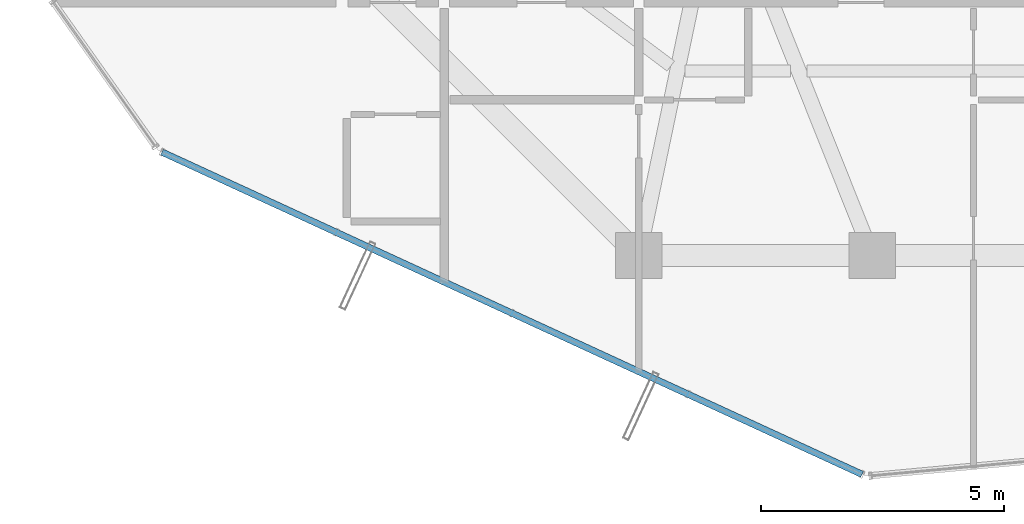
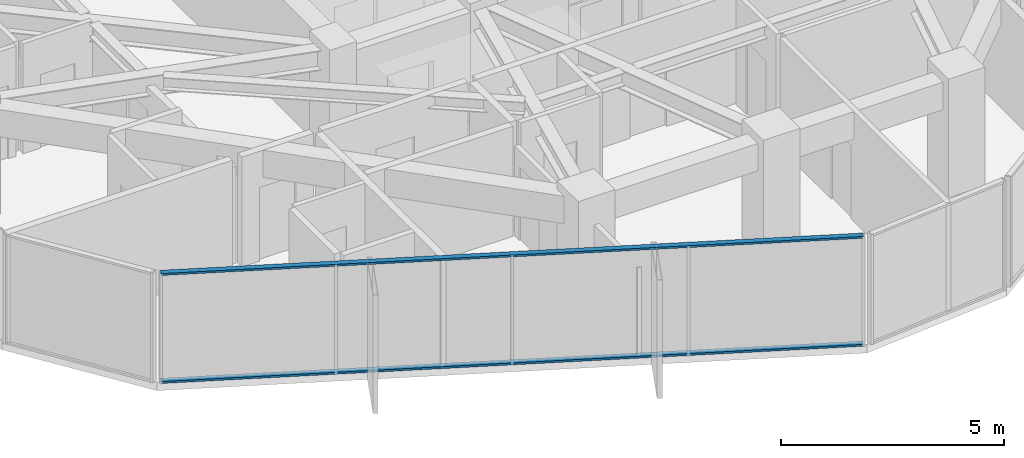
# One storey, part 3 of 32: 2 members, 1 element without a shape of its own.
"""IFC4 building model written with IfcOpenShell, lengths in metres."""

from ifc_helpers import new_model, si_unit, direction, frame, origin, origin_2d, place, context, subcontext, project, spatial, hollow_rectangle, extrude, source, transform, mapped, material, layer, layer_set, material_profile, profile_set, type_object, element, aggregate, save


model = new_model("IFC4")

# Units and contexts
model_context = context("Model", 3, precision=1e-05, world=origin(), true_north=direction((0.0, 1.0)))
body_context = subcontext(model_context, "Body", "Model", "MODEL_VIEW")
ifc_project = project(units=[si_unit("LENGTHUNIT", "METRE"), si_unit("AREAUNIT", "SQUARE_METRE"), si_unit("VOLUMEUNIT", "CUBIC_METRE"), si_unit("PLANEANGLEUNIT", "RADIAN"), si_unit("MASSUNIT", "GRAM", prefix="KILO")], contexts=[model_context])

# Site, building, storey
site_placement = place(None, origin())
site = spatial("IfcSite", under=ifc_project, at=site_placement, CompositionType="ELEMENT")
building_placement = place(site_placement, origin())
building = spatial("IfcBuilding", under=site, at=building_placement, Name="Veraguas Prism Commons", CompositionType="ELEMENT")
storey_placement = place(building_placement, frame((0.0, 0.0, 188.60009765625)))
storey = spatial("IfcBuildingStorey", under=building, at=storey_placement, Name="L53", CompositionType="ELEMENT", Elevation=188.60009765625)

# Curtain wall, members
ifc_material = material(Name="Anodised aluminium EN AW-6063 T6", Category="aluminium")
ifc_layer = layer(ifc_material, 0.14990234375, Name="Unitised Flush Curtain Wall Zone 3", Category="aluminium")
ifc_layer_set = layer_set([ifc_layer], Name="Anodised aluminium EN AW-6063 T6")
curtain_wall_type = type_object("IfcCurtainWallType", Name="Unitised Flush Curtain Wall Zone 3", PredefinedType="NOTDEFINED", material=ifc_layer_set)
curtain_wall_placement = place(storey_placement, origin())
curtain_wall = element("IfcCurtainWall", 1, at=curtain_wall_placement, inside=storey, type_object=curtain_wall_type, Name="Tower Facade Curtain Wall L53-F4", PredefinedType="NOTDEFINED")
ifc_material_profile = material_profile(ifc_material, hollow_rectangle(XDim=0.054931640625, YDim=0.135009765625, WallThickness=0.0029296875, at=origin_2d()), Name="AL55X135X3")
ifc_profile_set = profile_set([ifc_material_profile], Name="Anodised aluminium EN AW-6063 T6")
member_type = type_object("IfcMemberType", Name="Curtain Wall Transom Standard AL 55x135x3", PredefinedType="USERDEFINED", material=ifc_profile_set)
shared_shape = source(origin(), body_context, "Body", "SweptSolid", [
    extrude(hollow_rectangle(XDim=0.054931640625, YDim=0.135009765625, WallThickness=0.0029296875, at=origin_2d()), origin(), (0.0, 0.0, 1.0), 15.8427734375),
])
member_1_placement = place(storey_placement, frame((9.3984375, 11.225341796875, 0.02734375), z_axis=(0.908359937271, -0.418189220761, 0.0), x_axis=(0.0, 0.0, 1.0)))
member_1 = element("IfcMember", 2, at=member_1_placement, type_object=member_type, Name="CW-Z3 Transom 1", ObjectType="TRANSOM", PredefinedType="USERDEFINED", context=body_context, shape_type="MappedRepresentation", body=[
    mapped(shared_shape, transform((0.0, 0.0, 0.0), scale=1.0)),
])
member_2_placement = place(storey_placement, frame((9.3984375, 11.225341796875, 2.9873046875), z_axis=(0.908359937271, -0.418189220761, 0.0), x_axis=(0.0, 0.0, 1.0)))
member_2 = element("IfcMember", 3, at=member_2_placement, type_object=member_type, Name="CW-Z3 Transom 2", ObjectType="TRANSOM", PredefinedType="USERDEFINED", context=body_context, shape_type="MappedRepresentation", body=[
    mapped(shared_shape, transform((0.0, 0.0, 0.0), scale=1.0)),
])
aggregate(curtain_wall, [member_1, member_2])

save(model, "model.ifc")
